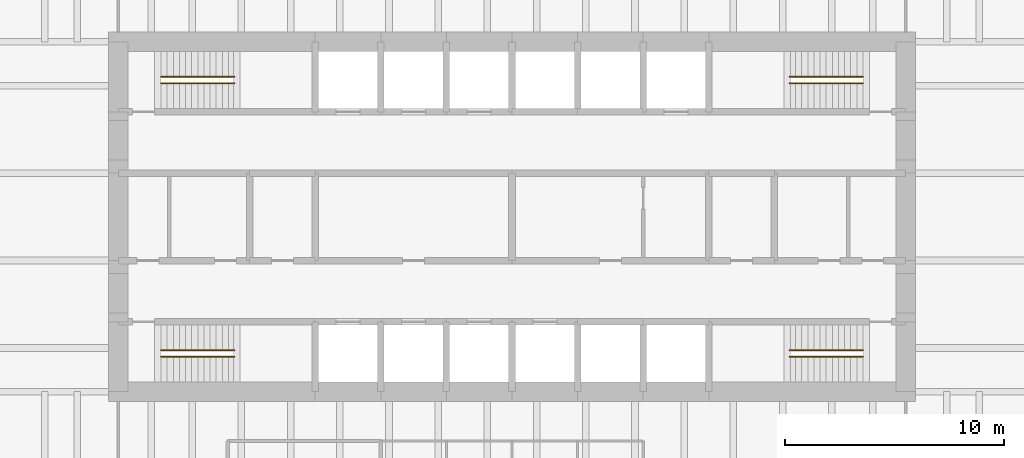
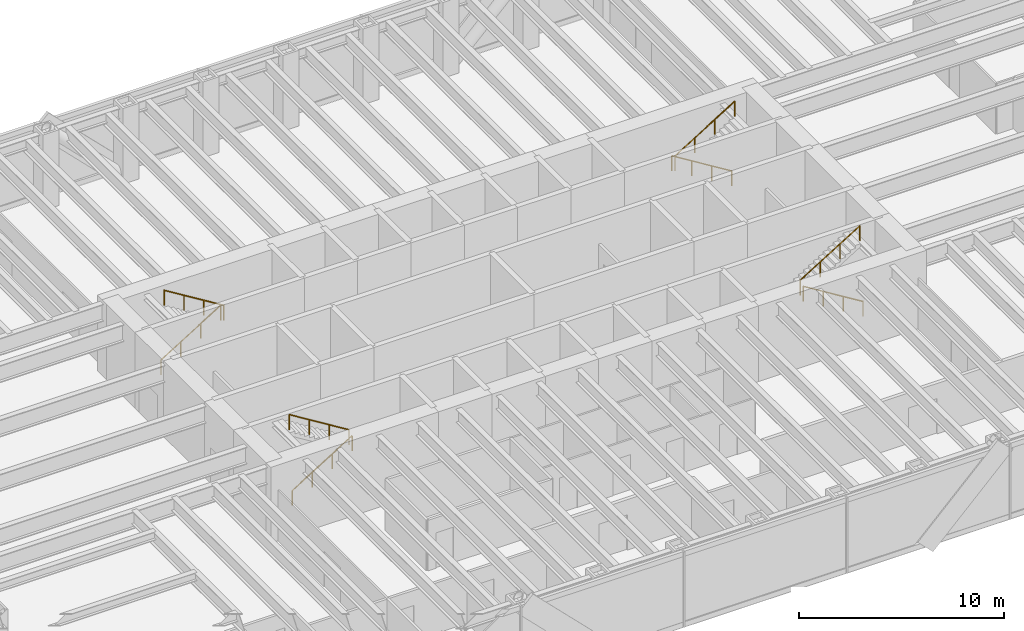
# One storey, part 13 of 13: 8 railings.
"""IFC4 building model written with IfcOpenShell, lengths in metres."""

from ifc_helpers import new_model, si_unit, direction, frame, origin, origin_2d, place, context, subcontext, project, spatial, circle, extrude, material, type_object, element, save


model = new_model("IFC4")

# Units and contexts
model_context = context("Model", 3, precision=1e-05, world=origin(), true_north=direction((0.0, 1.0)))
body_context = subcontext(model_context, "Body", "Model", "MODEL_VIEW")
ifc_project = project(units=[si_unit("LENGTHUNIT", "METRE"), si_unit("AREAUNIT", "SQUARE_METRE"), si_unit("VOLUMEUNIT", "CUBIC_METRE"), si_unit("PLANEANGLEUNIT", "RADIAN"), si_unit("MASSUNIT", "GRAM", prefix="KILO")], contexts=[model_context])

# Site, building, storey
site_placement = place(None, origin())
site = spatial("IfcSite", under=ifc_project, at=site_placement, CompositionType="ELEMENT")
building_placement = place(site_placement, origin())
building = spatial("IfcBuilding", under=site, at=building_placement, Name="Rheinbord Bourse Tower", CompositionType="ELEMENT")
storey_placement = place(building_placement, frame((0.0, 0.0, 41.0)))
storey = spatial("IfcBuildingStorey", under=building, at=storey_placement, Name="L08", CompositionType="ELEMENT", Elevation=41.0)

# Railings
ifc_material = material(Name="Steel handrail", Category="steel")
railing_type = type_object("IfcRailingType", Name="HANDRAIL 900", PredefinedType="HANDRAIL", material=ifc_material)
railing_1_placement = place(storey_placement, frame((19.949951171875, 17.60009765625, 0.173095703125)))
element("IfcRailing", 1, at=railing_1_placement, inside=storey, type_object=railing_type, Name="Handrail", PredefinedType="HANDRAIL", context=body_context, shape_type="SweptSolid", body=[
    extrude(circle(Radius=0.02392578125, at=origin_2d()), frame((0.0, 0.0, 0.8759765625), z_axis=(0.850623216509, 0.0, 0.525775754039), x_axis=(0.0, 1.0, 0.0)), (0.0, 0.0, 1.0), 3.9501953125),
    extrude(circle(Radius=0.02099609375, at=origin_2d()), origin(), (0.0, 0.0, 1.0), 0.851806640625),
    extrude(circle(Radius=0.02099609375, at=origin_2d()), frame((1.1201171875, 0.0, 0.6923828125)), (0.0, 0.0, 1.0), 0.851806640625),
    extrude(circle(Radius=0.02099609375, at=origin_2d()), frame((2.239990234375, 0.0, 1.384521484375)), (0.0, 0.0, 1.0), 0.851806640625),
    extrude(circle(Radius=0.02099609375, at=origin_2d()), frame((3.360107421875, 0.0, 2.076904296875)), (0.0, 0.0, 1.0), 0.851806640625),
])
railing_2_placement = place(storey_placement, frame((23.31005859375, 17.89990234375, 2.423095703125)))
element("IfcRailing", 2, at=railing_2_placement, inside=storey, type_object=railing_type, Name="Handrail", PredefinedType="HANDRAIL", context=body_context, shape_type="SweptSolid", body=[
    extrude(circle(Radius=0.02392578125, at=origin_2d()), frame((0.0, 0.0, 0.8759765625), z_axis=(-0.850623216509, 0.0, 0.525775754039), x_axis=(0.0, -1.0, 0.0)), (0.0, 0.0, 1.0), 3.9501953125),
    extrude(circle(Radius=0.02099609375, at=origin_2d()), origin(), (0.0, 0.0, 1.0), 0.851806640625),
    extrude(circle(Radius=0.02099609375, at=origin_2d()), frame((-1.1201171875, 0.0, 0.6923828125)), (0.0, 0.0, 1.0), 0.851806640625),
    extrude(circle(Radius=0.02099609375, at=origin_2d()), frame((-2.239990234375, 0.0, 1.384521484375)), (0.0, 0.0, 1.0), 0.851806640625),
    extrude(circle(Radius=0.02099609375, at=origin_2d()), frame((-3.360107421875, 0.0, 2.076904296875)), (0.0, 0.0, 1.0), 0.851806640625),
])
railing_3_placement = place(storey_placement, frame((19.949951171875, 30.39990234375, 0.173095703125)))
element("IfcRailing", 3, at=railing_3_placement, inside=storey, type_object=railing_type, Name="Handrail", PredefinedType="HANDRAIL", context=body_context, shape_type="SweptSolid", body=[
    extrude(circle(Radius=0.02392578125, at=origin_2d()), frame((0.0, 0.0, 0.8759765625), z_axis=(0.850623216509, 0.0, 0.525775754039), x_axis=(0.0, 1.0, 0.0)), (0.0, 0.0, 1.0), 3.9501953125),
    extrude(circle(Radius=0.02099609375, at=origin_2d()), origin(), (0.0, 0.0, 1.0), 0.851806640625),
    extrude(circle(Radius=0.02099609375, at=origin_2d()), frame((1.1201171875, 0.0, 0.6923828125)), (0.0, 0.0, 1.0), 0.851806640625),
    extrude(circle(Radius=0.02099609375, at=origin_2d()), frame((2.239990234375, 0.0, 1.384521484375)), (0.0, 0.0, 1.0), 0.851806640625),
    extrude(circle(Radius=0.02099609375, at=origin_2d()), frame((3.360107421875, 0.0, 2.076904296875)), (0.0, 0.0, 1.0), 0.851806640625),
])
for number, where, name in (
    (4, (23.31005859375, 30.10009765625, 2.423095703125), "Handrail"),
    (5, (52.050048828125, 17.60009765625, 0.173095703125), "Handrail"),
):
    element("IfcRailing", number, at=place(storey_placement, frame(where)), inside=storey, type_object=railing_type, Name=name, PredefinedType="HANDRAIL", context=body_context, shape_type="SweptSolid", body=[
        extrude(circle(Radius=0.02392578125, at=origin_2d()), frame((0.0, 0.0, 0.8759765625), z_axis=(-0.850623216509, 0.0, 0.525775754039), x_axis=(0.0, -1.0, 0.0)), (0.0, 0.0, 1.0), 3.9501953125),
        extrude(circle(Radius=0.02099609375, at=origin_2d()), origin(), (0.0, 0.0, 1.0), 0.851806640625),
        extrude(circle(Radius=0.02099609375, at=origin_2d()), frame((-1.1201171875, 0.0, 0.6923828125)), (0.0, 0.0, 1.0), 0.851806640625),
        extrude(circle(Radius=0.02099609375, at=origin_2d()), frame((-2.239990234375, 0.0, 1.384521484375)), (0.0, 0.0, 1.0), 0.851806640625),
        extrude(circle(Radius=0.02099609375, at=origin_2d()), frame((-3.360107421875, 0.0, 2.076904296875)), (0.0, 0.0, 1.0), 0.851806640625),
    ])
railing_4_placement = place(storey_placement, frame((48.68994140625, 17.89990234375, 2.423095703125)))
element("IfcRailing", 6, at=railing_4_placement, inside=storey, type_object=railing_type, Name="Handrail", PredefinedType="HANDRAIL", context=body_context, shape_type="SweptSolid", body=[
    extrude(circle(Radius=0.02392578125, at=origin_2d()), frame((0.0, 0.0, 0.8759765625), z_axis=(0.850623216509, 0.0, 0.525775754039), x_axis=(0.0, 1.0, 0.0)), (0.0, 0.0, 1.0), 3.9501953125),
    extrude(circle(Radius=0.02099609375, at=origin_2d()), origin(), (0.0, 0.0, 1.0), 0.851806640625),
    extrude(circle(Radius=0.02099609375, at=origin_2d()), frame((1.1201171875, 0.0, 0.6923828125)), (0.0, 0.0, 1.0), 0.851806640625),
    extrude(circle(Radius=0.02099609375, at=origin_2d()), frame((2.239990234375, 0.0, 1.384521484375)), (0.0, 0.0, 1.0), 0.851806640625),
    extrude(circle(Radius=0.02099609375, at=origin_2d()), frame((3.360107421875, 0.0, 2.076904296875)), (0.0, 0.0, 1.0), 0.851806640625),
])
railing_5_placement = place(storey_placement, frame((52.050048828125, 30.39990234375, 0.173095703125)))
element("IfcRailing", 7, at=railing_5_placement, inside=storey, type_object=railing_type, Name="Handrail", PredefinedType="HANDRAIL", context=body_context, shape_type="SweptSolid", body=[
    extrude(circle(Radius=0.02392578125, at=origin_2d()), frame((0.0, 0.0, 0.8759765625), z_axis=(-0.850623216509, 0.0, 0.525775754039), x_axis=(0.0, -1.0, 0.0)), (0.0, 0.0, 1.0), 3.9501953125),
    extrude(circle(Radius=0.02099609375, at=origin_2d()), origin(), (0.0, 0.0, 1.0), 0.851806640625),
    extrude(circle(Radius=0.02099609375, at=origin_2d()), frame((-1.1201171875, 0.0, 0.6923828125)), (0.0, 0.0, 1.0), 0.851806640625),
    extrude(circle(Radius=0.02099609375, at=origin_2d()), frame((-2.239990234375, 0.0, 1.384521484375)), (0.0, 0.0, 1.0), 0.851806640625),
    extrude(circle(Radius=0.02099609375, at=origin_2d()), frame((-3.360107421875, 0.0, 2.076904296875)), (0.0, 0.0, 1.0), 0.851806640625),
])
railing_6_placement = place(storey_placement, frame((48.68994140625, 30.10009765625, 2.423095703125)))
element("IfcRailing", 8, at=railing_6_placement, inside=storey, type_object=railing_type, Name="Handrail", PredefinedType="HANDRAIL", context=body_context, shape_type="SweptSolid", body=[
    extrude(circle(Radius=0.02392578125, at=origin_2d()), frame((0.0, 0.0, 0.8759765625), z_axis=(0.850623216509, 0.0, 0.525775754039), x_axis=(0.0, 1.0, 0.0)), (0.0, 0.0, 1.0), 3.9501953125),
    extrude(circle(Radius=0.02099609375, at=origin_2d()), origin(), (0.0, 0.0, 1.0), 0.851806640625),
    extrude(circle(Radius=0.02099609375, at=origin_2d()), frame((1.1201171875, 0.0, 0.6923828125)), (0.0, 0.0, 1.0), 0.851806640625),
    extrude(circle(Radius=0.02099609375, at=origin_2d()), frame((2.239990234375, 0.0, 1.384521484375)), (0.0, 0.0, 1.0), 0.851806640625),
    extrude(circle(Radius=0.02099609375, at=origin_2d()), frame((3.360107421875, 0.0, 2.076904296875)), (0.0, 0.0, 1.0), 0.851806640625),
])

save(model, "model.ifc")
